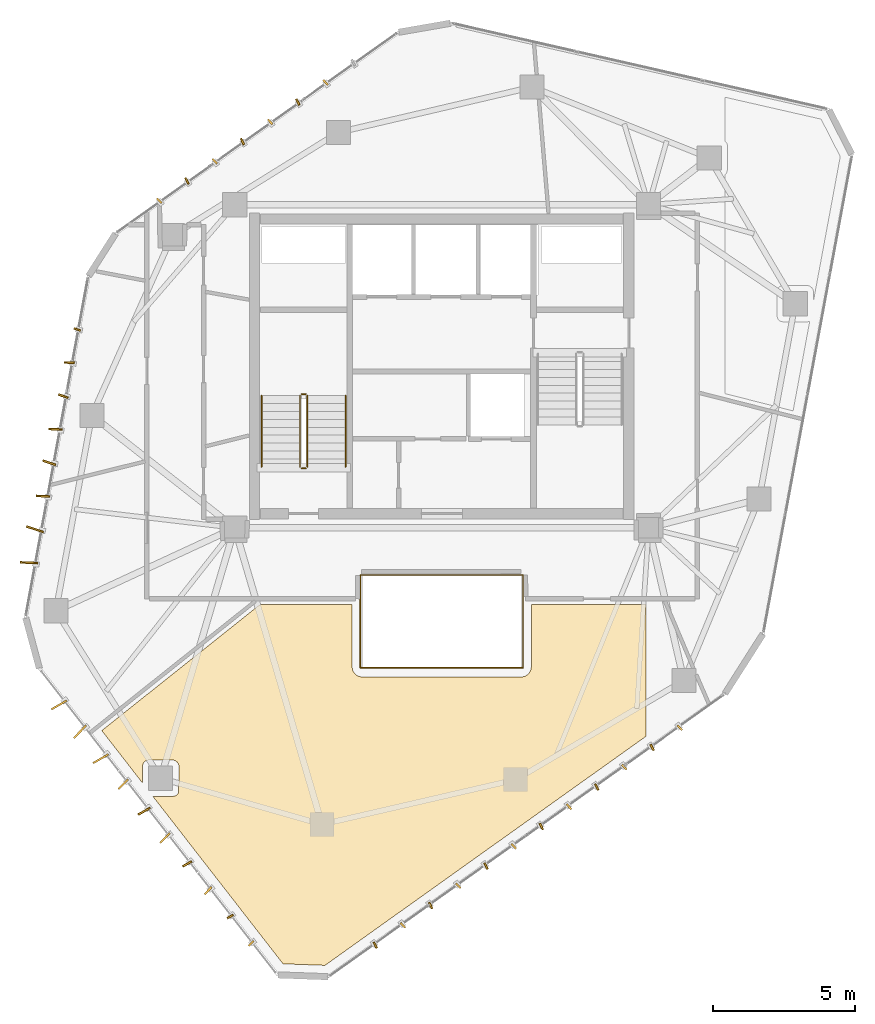
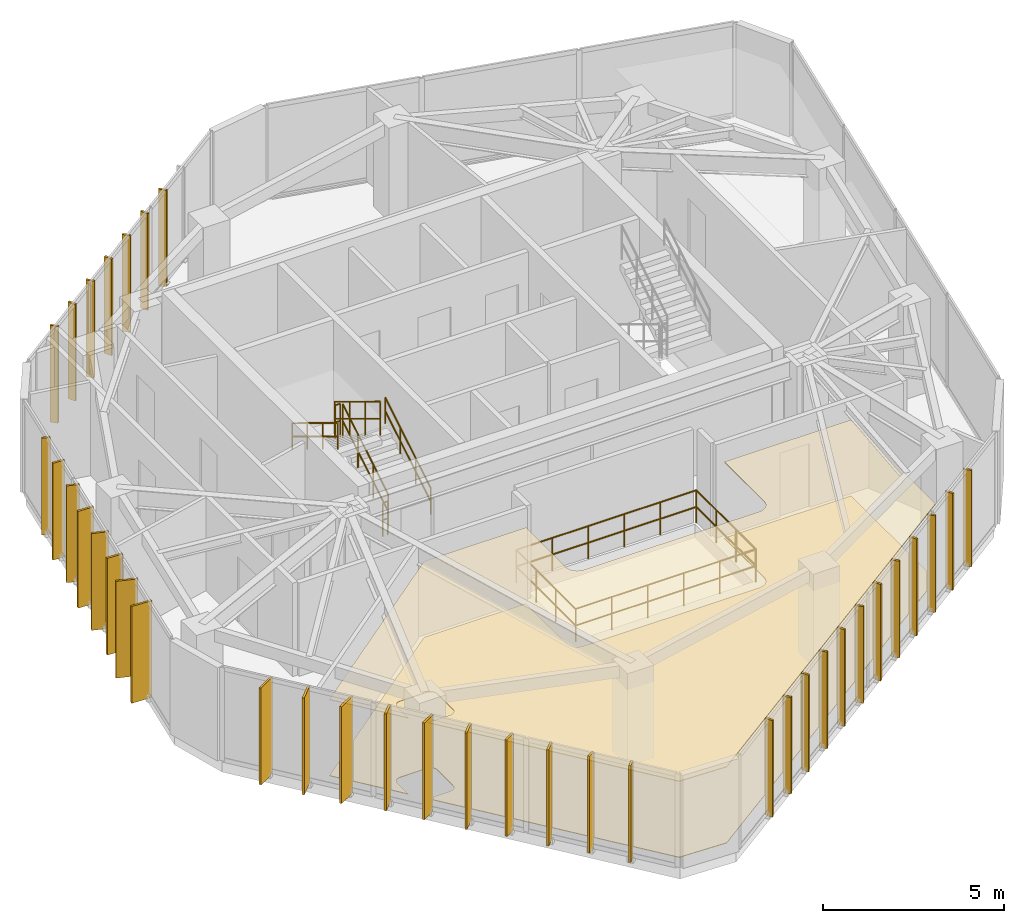
# One storey, part 18 of 19: 37 shading devices, 10 railings, 2 coverings.
"""IFC4 building model written with IfcOpenShell, lengths in metres."""

from ifc_helpers import new_model, si_unit, direction, frame, origin, origin_2d, place, context, subcontext, project, spatial, polyline, rectangle, circle, outline, extrude, source, transform, mapped, material, layer, layer_set, type_object, type_shapes, element, save


model = new_model("IFC4")

# Units and contexts
model_context = context("Model", 3, precision=1e-05, world=origin(), true_north=direction((0.0, 1.0)))
body_context = subcontext(model_context, "Body", "Model", "MODEL_VIEW")
ifc_project = project(units=[si_unit("LENGTHUNIT", "METRE"), si_unit("AREAUNIT", "SQUARE_METRE"), si_unit("VOLUMEUNIT", "CUBIC_METRE"), si_unit("PLANEANGLEUNIT", "RADIAN"), si_unit("MASSUNIT", "GRAM", prefix="KILO")], contexts=[model_context])

# Site, building, storey
site_placement = place(None, origin())
site = spatial("IfcSite", under=ifc_project, at=site_placement, CompositionType="ELEMENT")
building_placement = place(site_placement, origin())
building = spatial("IfcBuilding", under=site, at=building_placement, Name="Talar Marvaseh", CompositionType="ELEMENT")
storey_placement = place(building_placement, frame((0.0, 0.0, 240.800048828125)))
storey = spatial("IfcBuildingStorey", under=building, at=storey_placement, Name="L63", CompositionType="ELEMENT", Elevation=240.800048828125)

# Railings
ifc_material_1 = material(Name="Stainless Steel Grade 316", Category="steel")
railing_type_1 = type_object("IfcRailingType", Name="Brushed Stainless Wall Pitch Handrail 900", PredefinedType="HANDRAIL", material=ifc_material_1)
railing_1_placement = place(storey_placement, frame((22.610107421875, 27.64990234375, 0.169921875)))
element("IfcRailing", 1, at=railing_1_placement, inside=storey, type_object=railing_type_1, Name="L63 ST-1 stair handrail 1", PredefinedType="HANDRAIL", context=body_context, shape_type="SweptSolid", body=[
    extrude(circle(Radius=0.02392578125, at=origin_2d()), frame((0.0, 0.0, 0.8759765625), z_axis=(0.0, 0.85478489116, 0.518982456201), x_axis=(-1.0, 0.0, 0.0)), (0.0, 0.0, 1.0), 2.9482421875),
    extrude(circle(Radius=0.02392578125, at=origin_2d()), frame((0.0, 0.0, 0.42578125), z_axis=(0.0, 0.85478489116, 0.518982456201), x_axis=(-1.0, 0.0, 0.0)), (0.0, 0.0, 1.0), 2.9482421875),
    extrude(circle(Radius=0.02099609375, at=origin_2d()), origin(), (0.0, 0.0, 1.0), 0.851806640625),
    extrude(circle(Radius=0.02099609375, at=origin_2d()), frame((0.0, 0.840087890625, 0.510009765625)), (0.0, 0.0, 1.0), 0.851806640625),
    extrude(circle(Radius=0.02099609375, at=origin_2d()), frame((0.0, 1.679931640625, 1.02001953125)), (0.0, 0.0, 1.0), 0.851806640625),
    extrude(circle(Radius=0.02099609375, at=origin_2d()), frame((0.0, 2.52001953125, 1.530029296875)), (0.0, 0.0, 1.0), 0.851806640625),
])
railing_2_placement = place(storey_placement, frame((19.64990234375, 30.169921875, 1.869873046875)))
element("IfcRailing", 2, at=railing_2_placement, inside=storey, type_object=railing_type_1, Name="L63 ST-1 stair handrail 2", PredefinedType="HANDRAIL", context=body_context, shape_type="SweptSolid", body=[
    extrude(circle(Radius=0.02392578125, at=origin_2d()), frame((0.0, 0.0, 0.8759765625), z_axis=(0.0, -0.85478489116, 0.518982456201), x_axis=(1.0, 0.0, 0.0)), (0.0, 0.0, 1.0), 2.9482421875),
    extrude(circle(Radius=0.02392578125, at=origin_2d()), frame((0.0, 0.0, 0.42578125), z_axis=(0.0, -0.85478489116, 0.518982456201), x_axis=(1.0, 0.0, 0.0)), (0.0, 0.0, 1.0), 2.9482421875),
    extrude(circle(Radius=0.02099609375, at=origin_2d()), origin(), (0.0, 0.0, 1.0), 0.851806640625),
    extrude(circle(Radius=0.02099609375, at=origin_2d()), frame((0.0, -0.840087890625, 0.510009765625)), (0.0, 0.0, 1.0), 0.851806640625),
    extrude(circle(Radius=0.02099609375, at=origin_2d()), frame((0.0, -1.679931640625, 1.02001953125)), (0.0, 0.0, 1.0), 0.851806640625),
    extrude(circle(Radius=0.02099609375, at=origin_2d()), frame((0.0, -2.52001953125, 1.530029296875)), (0.0, 0.0, 1.0), 0.851806640625),
])
ifc_material_2 = material(Name="Tempered Clear Glass", Category="glass")
railing_type_2 = type_object("IfcRailingType", Name="Interior Atrium Edge Balustrade 1120", PredefinedType="BALUSTRADE", material=ifc_material_2)
railing_3_placement = place(storey_placement, frame((23.130615234375, 20.560302734375, 0.0)))
element("IfcRailing", 3, at=railing_3_placement, inside=storey, type_object=railing_type_2, Name="L63 Internal Daylight Atrium Balustrade 1", PredefinedType="BALUSTRADE", context=body_context, shape_type="SweptSolid", body=[
    extrude(circle(Radius=0.02392578125, at=origin_2d()), frame((0.0, 0.0, 1.09619140625), z_axis=(1.0, 0.0, 0.0), x_axis=(0.0, 1.0, 0.0)), (0.0, 0.0, 1.0), 5.73876953125),
    extrude(circle(Radius=0.02392578125, at=origin_2d()), frame((0.0, 0.0, 0.5361328125), z_axis=(1.0, 0.0, 0.0), x_axis=(0.0, 1.0, 0.0)), (0.0, 0.0, 1.0), 5.73876953125),
    extrude(circle(Radius=0.02099609375, at=origin_2d()), origin(), (0.0, 0.0, 1.0), 1.072021484375),
    extrude(circle(Radius=0.02099609375, at=origin_2d()), frame((1.147705078125, 0.0, 0.0)), (0.0, 0.0, 1.0), 1.072021484375),
    extrude(circle(Radius=0.02099609375, at=origin_2d()), frame((2.29541015625, 0.0, 0.0)), (0.0, 0.0, 1.0), 1.072021484375),
    extrude(circle(Radius=0.02099609375, at=origin_2d()), frame((3.443359375, 0.0, 0.0)), (0.0, 0.0, 1.0), 1.072021484375),
    extrude(circle(Radius=0.02099609375, at=origin_2d()), frame((4.591064453125, 0.0, 0.0)), (0.0, 0.0, 1.0), 1.072021484375),
    extrude(circle(Radius=0.02099609375, at=origin_2d()), frame((5.73876953125, 0.0, 0.0)), (0.0, 0.0, 1.0), 1.072021484375),
])
railing_4_placement = place(storey_placement, frame((28.869384765625, 20.560302734375, 0.0)))
element("IfcRailing", 4, at=railing_4_placement, inside=storey, type_object=railing_type_2, Name="L63 Internal Daylight Atrium Balustrade 2", PredefinedType="BALUSTRADE", context=body_context, shape_type="SweptSolid", body=[
    extrude(circle(Radius=0.02392578125, at=origin_2d()), frame((0.0, 0.0, 1.09619140625), z_axis=(0.0, 1.0, 0.0), x_axis=(-1.0, 0.0, 0.0)), (0.0, 0.0, 1.0), 3.279296875),
    extrude(circle(Radius=0.02392578125, at=origin_2d()), frame((0.0, 0.0, 0.5361328125), z_axis=(0.0, 1.0, 0.0), x_axis=(-1.0, 0.0, 0.0)), (0.0, 0.0, 1.0), 3.279296875),
    extrude(circle(Radius=0.02099609375, at=origin_2d()), origin(), (0.0, 0.0, 1.0), 1.072021484375),
    extrude(circle(Radius=0.02099609375, at=origin_2d()), frame((0.0, 1.093017578125, 0.0)), (0.0, 0.0, 1.0), 1.072021484375),
    extrude(circle(Radius=0.02099609375, at=origin_2d()), frame((0.0, 2.186279296875, 0.0)), (0.0, 0.0, 1.0), 1.072021484375),
    extrude(circle(Radius=0.02099609375, at=origin_2d()), frame((0.0, 3.279296875, 0.0)), (0.0, 0.0, 1.0), 1.072021484375),
])
railing_5_placement = place(storey_placement, frame((28.869384765625, 23.839599609375, 0.0)))
element("IfcRailing", 5, at=railing_5_placement, inside=storey, type_object=railing_type_2, Name="L63 Internal Daylight Atrium Balustrade 3", PredefinedType="BALUSTRADE", context=body_context, shape_type="SweptSolid", body=[
    extrude(circle(Radius=0.02392578125, at=origin_2d()), frame((0.0, 0.0, 1.09619140625), z_axis=(-1.0, 0.0, 0.0), x_axis=(0.0, -1.0, 0.0)), (0.0, 0.0, 1.0), 5.73876953125),
    extrude(circle(Radius=0.02392578125, at=origin_2d()), frame((0.0, 0.0, 0.5361328125), z_axis=(-1.0, 0.0, 0.0), x_axis=(0.0, -1.0, 0.0)), (0.0, 0.0, 1.0), 5.73876953125),
    extrude(circle(Radius=0.02099609375, at=origin_2d()), origin(), (0.0, 0.0, 1.0), 1.072021484375),
    extrude(circle(Radius=0.02099609375, at=origin_2d()), frame((-1.147705078125, 0.0, 0.0)), (0.0, 0.0, 1.0), 1.072021484375),
    extrude(circle(Radius=0.02099609375, at=origin_2d()), frame((-2.29541015625, 0.0, 0.0)), (0.0, 0.0, 1.0), 1.072021484375),
    extrude(circle(Radius=0.02099609375, at=origin_2d()), frame((-3.443359375, 0.0, 0.0)), (0.0, 0.0, 1.0), 1.072021484375),
    extrude(circle(Radius=0.02099609375, at=origin_2d()), frame((-4.591064453125, 0.0, 0.0)), (0.0, 0.0, 1.0), 1.072021484375),
    extrude(circle(Radius=0.02099609375, at=origin_2d()), frame((-5.73876953125, 0.0, 0.0)), (0.0, 0.0, 1.0), 1.072021484375),
])
railing_6_placement = place(storey_placement, frame((23.130615234375, 23.839599609375, 0.0)))
element("IfcRailing", 6, at=railing_6_placement, inside=storey, type_object=railing_type_2, Name="L63 Internal Daylight Atrium Balustrade 4", PredefinedType="BALUSTRADE", context=body_context, shape_type="SweptSolid", body=[
    extrude(circle(Radius=0.02392578125, at=origin_2d()), frame((0.0, 0.0, 1.09619140625), z_axis=(0.0, -1.0, 0.0), x_axis=(1.0, 0.0, 0.0)), (0.0, 0.0, 1.0), 3.279296875),
    extrude(circle(Radius=0.02392578125, at=origin_2d()), frame((0.0, 0.0, 0.5361328125), z_axis=(0.0, -1.0, 0.0), x_axis=(1.0, 0.0, 0.0)), (0.0, 0.0, 1.0), 3.279296875),
    extrude(circle(Radius=0.02099609375, at=origin_2d()), origin(), (0.0, 0.0, 1.0), 1.072021484375),
    extrude(circle(Radius=0.02099609375, at=origin_2d()), frame((0.0, -1.093017578125, 0.0)), (0.0, 0.0, 1.0), 1.072021484375),
    extrude(circle(Radius=0.02099609375, at=origin_2d()), frame((0.0, -2.186279296875, 0.0)), (0.0, 0.0, 1.0), 1.072021484375),
    extrude(circle(Radius=0.02099609375, at=origin_2d()), frame((0.0, -3.279296875, 0.0)), (0.0, 0.0, 1.0), 1.072021484375),
])
railing_type_3 = type_object("IfcRailingType", Name="Painted Steel Core Stair Well Guardrail 1150", PredefinedType="GUARDRAIL", material=ifc_material_1)
railing_7_placement = place(storey_placement, frame((21.260009765625, 27.64990234375, 0.169921875)))
element("IfcRailing", 7, at=railing_7_placement, inside=storey, type_object=railing_type_3, Name="L63 ST-1 stair guard 1", PredefinedType="GUARDRAIL", context=body_context, shape_type="SweptSolid", body=[
    extrude(circle(Radius=0.02392578125, at=origin_2d()), frame((0.0, 0.0, 1.1259765625), z_axis=(0.0, 0.85478489116, 0.518982456201), x_axis=(-1.0, 0.0, 0.0)), (0.0, 0.0, 1.0), 2.9482421875),
    extrude(circle(Radius=0.02392578125, at=origin_2d()), frame((0.0, 0.0, 0.55078125), z_axis=(0.0, 0.85478489116, 0.518982456201), x_axis=(-1.0, 0.0, 0.0)), (0.0, 0.0, 1.0), 2.9482421875),
    extrude(circle(Radius=0.02099609375, at=origin_2d()), origin(), (0.0, 0.0, 1.0), 1.101806640625),
    extrude(circle(Radius=0.02099609375, at=origin_2d()), frame((0.0, 0.840087890625, 0.510009765625)), (0.0, 0.0, 1.0), 1.101806640625),
    extrude(circle(Radius=0.02099609375, at=origin_2d()), frame((0.0, 1.679931640625, 1.02001953125)), (0.0, 0.0, 1.0), 1.101806640625),
    extrude(circle(Radius=0.02099609375, at=origin_2d()), frame((0.0, 2.52001953125, 1.530029296875)), (0.0, 0.0, 1.0), 1.101806640625),
])
railing_8_placement = place(storey_placement, frame((21.2099609375, 30.219970703125, 1.699951171875)))
element("IfcRailing", 8, at=railing_8_placement, inside=storey, type_object=railing_type_3, Name="L63 ST-1 stair guard 2", PredefinedType="GUARDRAIL", context=body_context, shape_type="SweptSolid", body=[
    extrude(circle(Radius=0.02392578125, at=origin_2d()), frame((0.0, 0.0, 1.1259765625), z_axis=(-1.0, 0.0, 0.0), x_axis=(0.0, -1.0, 0.0)), (0.0, 0.0, 1.0), 0.159912109375),
    extrude(circle(Radius=0.02392578125, at=origin_2d()), frame((0.0, 0.0, 0.55078125), z_axis=(-1.0, 0.0, 0.0), x_axis=(0.0, -1.0, 0.0)), (0.0, 0.0, 1.0), 0.159912109375),
    extrude(circle(Radius=0.02099609375, at=origin_2d()), origin(), (0.0, 0.0, 1.0), 1.101806640625),
    extrude(circle(Radius=0.02099609375, at=origin_2d()), frame((-0.159912109375, 0.0, 0.0)), (0.0, 0.0, 1.0), 1.101806640625),
])
railing_9_placement = place(storey_placement, frame((21.0, 30.169921875, 1.869873046875)))
element("IfcRailing", 9, at=railing_9_placement, inside=storey, type_object=railing_type_3, Name="L63 ST-1 stair guard 3", PredefinedType="GUARDRAIL", context=body_context, shape_type="SweptSolid", body=[
    extrude(circle(Radius=0.02392578125, at=origin_2d()), frame((0.0, 0.0, 1.1259765625), z_axis=(0.0, -0.85478489116, 0.518982456201), x_axis=(1.0, 0.0, 0.0)), (0.0, 0.0, 1.0), 2.9482421875),
    extrude(circle(Radius=0.02392578125, at=origin_2d()), frame((0.0, 0.0, 0.55078125), z_axis=(0.0, -0.85478489116, 0.518982456201), x_axis=(1.0, 0.0, 0.0)), (0.0, 0.0, 1.0), 2.9482421875),
    extrude(circle(Radius=0.02099609375, at=origin_2d()), origin(), (0.0, 0.0, 1.0), 1.101806640625),
    extrude(circle(Radius=0.02099609375, at=origin_2d()), frame((0.0, -0.840087890625, 0.510009765625)), (0.0, 0.0, 1.0), 1.101806640625),
    extrude(circle(Radius=0.02099609375, at=origin_2d()), frame((0.0, -1.679931640625, 1.02001953125)), (0.0, 0.0, 1.0), 1.101806640625),
    extrude(circle(Radius=0.02099609375, at=origin_2d()), frame((0.0, -2.52001953125, 1.530029296875)), (0.0, 0.0, 1.0), 1.101806640625),
])
railing_10_placement = place(storey_placement, frame((21.2099609375, 27.60009765625, 0.0)))
element("IfcRailing", 10, at=railing_10_placement, inside=storey, type_object=railing_type_3, Name="L63 ST-1 stair guard 4", PredefinedType="GUARDRAIL", context=body_context, shape_type="SweptSolid", body=[
    extrude(circle(Radius=0.02392578125, at=origin_2d()), frame((0.0, 0.0, 1.1259765625), z_axis=(-1.0, 0.0, 0.0), x_axis=(0.0, -1.0, 0.0)), (0.0, 0.0, 1.0), 0.159912109375),
    extrude(circle(Radius=0.02392578125, at=origin_2d()), frame((0.0, 0.0, 0.55078125), z_axis=(-1.0, 0.0, 0.0), x_axis=(0.0, -1.0, 0.0)), (0.0, 0.0, 1.0), 0.159912109375),
    extrude(circle(Radius=0.02099609375, at=origin_2d()), origin(), (0.0, 0.0, 1.0), 1.101806640625),
    extrude(circle(Radius=0.02099609375, at=origin_2d()), frame((-0.159912109375, 0.0, 0.0)), (0.0, 0.0, 1.0), 1.101806640625),
])

# Coverings
ifc_material_3 = material(Name="Mineral Fibre Acoustic Ceiling")
ifc_layer_1 = layer(ifc_material_3, 0.02490234375)
ifc_layer_set_1 = layer_set([ifc_layer_1], Name="Mineral Fibre Acoustic Ceiling")
covering_type_1 = type_object("IfcCoveringType", Name="Perforated Mineral Fibre Acoustic Suspended Ceiling", PredefinedType="CEILING", material=ifc_layer_set_1)
covering_1_placement = place(storey_placement, frame((0.0, 0.0, 2.56005859375)))
element("IfcCovering", 11, at=covering_1_placement, inside=storey, type_object=covering_type_1, Name="L63 Hospitality Tea Pantry Acoustic Ceiling", PredefinedType="CEILING", context=body_context, shape_type="SweptSolid", body=[
    extrude(outline(polyline([(22.840087890625, 22.800048828125), (22.840087890625, 20.60009765625), (22.841064453125, 20.580322265625), (22.843994140625, 20.560791015625), (22.856201171875, 20.499755859375), (22.861572265625, 20.478515625), (22.869384765625, 20.457763671875), (22.87939453125, 20.43798828125), (22.8916015625, 20.419677734375), (22.937744140625, 20.357177734375), (22.9501953125, 20.342041015625), (22.964111328125, 20.328125), (22.9794921875, 20.315673828125), (22.995849609375, 20.3046875), (23.0361328125, 20.280517578125), (23.056396484375, 20.27001953125), (23.07763671875, 20.26171875), (23.099609375, 20.256103515625), (23.160888671875, 20.243896484375), (23.180419921875, 20.240966796875), (23.199951171875, 20.239990234375), (28.800048828125, 20.239990234375), (28.819580078125, 20.240966796875), (28.839111328125, 20.243896484375), (28.900390625, 20.256103515625), (28.919189453125, 20.2607421875), (28.937744140625, 20.267578125), (28.95556640625, 20.27587890625), (28.972412109375, 20.285888671875), (29.0244140625, 20.320556640625), (29.0400390625, 20.332275390625), (29.054443359375, 20.345458984375), (29.067626953125, 20.360107421875), (29.079345703125, 20.375732421875), (29.114013671875, 20.427490234375), (29.124267578125, 20.444580078125), (29.132568359375, 20.462158203125), (29.13916015625, 20.480712890625), (29.143798828125, 20.499755859375), (29.156005859375, 20.560791015625), (29.158935546875, 20.580322265625), (29.159912109375, 20.60009765625), (29.159912109375, 22.800048828125), (33.199951171875, 22.800048828125), (33.199951171875, 18.141845703125), (21.8837890625, 10.0673828125), (20.401123046875, 10.12109375), (15.808349609375, 16.032470703125), (16.522705078125, 16.032470703125), (16.5419921875, 16.033447265625), (16.5615234375, 16.0361328125), (16.58056640625, 16.041015625), (16.598876953125, 16.047607421875), (16.61669921875, 16.055908203125), (16.63330078125, 16.06591796875), (16.649169921875, 16.077392578125), (16.663818359375, 16.090576171875), (16.6767578125, 16.10498046875), (16.6884765625, 16.120849609375), (16.69873046875, 16.137451171875), (16.70703125, 16.1552734375), (16.7138671875, 16.173583984375), (16.718505859375, 16.1923828125), (16.721435546875, 16.2119140625), (16.72265625, 16.2314453125), (16.726806640625, 17.093505859375), (16.72607421875, 17.112060546875), (16.7236328125, 17.130615234375), (16.719482421875, 17.148681640625), (16.71337890625, 17.16650390625), (16.7060546875, 17.18359375), (16.697021484375, 17.199951171875), (16.686279296875, 17.215087890625), (16.67431640625, 17.2294921875), (16.6611328125, 17.24267578125), (16.646240234375, 17.256103515625), (16.632080078125, 17.26806640625), (16.61669921875, 17.2783203125), (16.6005859375, 17.287353515625), (16.58349609375, 17.294921875), (16.56591796875, 17.300537109375), (16.5478515625, 17.3046875), (16.529541015625, 17.30712890625), (16.510986328125, 17.30810546875), (15.650390625, 17.3037109375), (15.630859375, 17.302490234375), (15.611572265625, 17.299560546875), (15.592529296875, 17.294677734375), (15.57421875, 17.2880859375), (15.556396484375, 17.27978515625), (15.539794921875, 17.26953125), (15.524169921875, 17.2578125), (15.509521484375, 17.24462890625), (15.49658203125, 17.22998046875), (15.48486328125, 17.21435546875), (15.474853515625, 17.197509765625), (15.466552734375, 17.179931640625), (15.4599609375, 17.16162109375), (15.455078125, 17.142578125), (15.452392578125, 17.123046875), (15.451416015625, 17.103515625), (15.451416015625, 16.49169921875), (14.0078125, 18.349853515625), (19.59619140625, 22.800048828125), (22.840087890625, 22.800048828125)])), origin(), (0.0, 0.0, 1.0), 0.02490234375),
])
ifc_material_4 = material(Name="Porcelain Stoneware Tile", Category="masonry")
ifc_layer_2 = layer(ifc_material_4, 0.02001953125)
ifc_layer_set_2 = layer_set([ifc_layer_2], Name="Porcelain Stoneware Tile")
covering_type_2 = type_object("IfcCoveringType", Name="Polished Porcelain Stoneware Gallery Flooring", PredefinedType="FLOORING", material=ifc_layer_set_2)
covering_2_placement = place(storey_placement, origin())
element("IfcCovering", 12, at=covering_2_placement, inside=storey, type_object=covering_type_2, Name="L63 Hospitality Tea Pantry Flooring", PredefinedType="FLOORING", context=body_context, shape_type="SweptSolid", body=[
    extrude(outline(polyline([(22.840087890625, 22.800048828125), (22.840087890625, 20.60009765625), (22.841064453125, 20.580322265625), (22.843994140625, 20.560791015625), (22.856201171875, 20.499755859375), (22.861572265625, 20.478515625), (22.869384765625, 20.457763671875), (22.87939453125, 20.43798828125), (22.8916015625, 20.419677734375), (22.937744140625, 20.357177734375), (22.9501953125, 20.342041015625), (22.964111328125, 20.328125), (22.9794921875, 20.315673828125), (22.995849609375, 20.3046875), (23.0361328125, 20.280517578125), (23.056396484375, 20.27001953125), (23.07763671875, 20.26171875), (23.099609375, 20.256103515625), (23.160888671875, 20.243896484375), (23.180419921875, 20.240966796875), (23.199951171875, 20.239990234375), (28.800048828125, 20.239990234375), (28.819580078125, 20.240966796875), (28.839111328125, 20.243896484375), (28.900390625, 20.256103515625), (28.919189453125, 20.2607421875), (28.937744140625, 20.267578125), (28.95556640625, 20.27587890625), (28.972412109375, 20.285888671875), (29.0244140625, 20.320556640625), (29.0400390625, 20.332275390625), (29.054443359375, 20.345458984375), (29.067626953125, 20.360107421875), (29.079345703125, 20.375732421875), (29.114013671875, 20.427490234375), (29.124267578125, 20.444580078125), (29.132568359375, 20.462158203125), (29.13916015625, 20.480712890625), (29.143798828125, 20.499755859375), (29.156005859375, 20.560791015625), (29.158935546875, 20.580322265625), (29.159912109375, 20.60009765625), (29.159912109375, 22.800048828125), (33.199951171875, 22.800048828125), (33.199951171875, 18.141845703125), (21.8837890625, 10.0673828125), (20.401123046875, 10.12109375), (15.808349609375, 16.032470703125), (16.522705078125, 16.032470703125), (16.5419921875, 16.033447265625), (16.5615234375, 16.0361328125), (16.58056640625, 16.041015625), (16.598876953125, 16.047607421875), (16.61669921875, 16.055908203125), (16.63330078125, 16.06591796875), (16.649169921875, 16.077392578125), (16.663818359375, 16.090576171875), (16.6767578125, 16.10498046875), (16.6884765625, 16.120849609375), (16.69873046875, 16.137451171875), (16.70703125, 16.1552734375), (16.7138671875, 16.173583984375), (16.718505859375, 16.1923828125), (16.721435546875, 16.2119140625), (16.72265625, 16.2314453125), (16.726806640625, 17.093505859375), (16.72607421875, 17.112060546875), (16.7236328125, 17.130615234375), (16.719482421875, 17.148681640625), (16.71337890625, 17.16650390625), (16.7060546875, 17.18359375), (16.697021484375, 17.199951171875), (16.686279296875, 17.215087890625), (16.67431640625, 17.2294921875), (16.6611328125, 17.24267578125), (16.646240234375, 17.256103515625), (16.632080078125, 17.26806640625), (16.61669921875, 17.2783203125), (16.6005859375, 17.287353515625), (16.58349609375, 17.294921875), (16.56591796875, 17.300537109375), (16.5478515625, 17.3046875), (16.529541015625, 17.30712890625), (16.510986328125, 17.30810546875), (15.650390625, 17.3037109375), (15.630859375, 17.302490234375), (15.611572265625, 17.299560546875), (15.592529296875, 17.294677734375), (15.57421875, 17.2880859375), (15.556396484375, 17.27978515625), (15.539794921875, 17.26953125), (15.524169921875, 17.2578125), (15.509521484375, 17.24462890625), (15.49658203125, 17.22998046875), (15.48486328125, 17.21435546875), (15.474853515625, 17.197509765625), (15.466552734375, 17.179931640625), (15.4599609375, 17.16162109375), (15.455078125, 17.142578125), (15.452392578125, 17.123046875), (15.451416015625, 17.103515625), (15.451416015625, 16.49169921875), (14.0078125, 18.349853515625), (19.59619140625, 22.800048828125), (22.840087890625, 22.800048828125)])), origin(), (0.0, 0.0, 1.0), 0.02001953125),
])

# Shading devices
ifc_material_5 = material(Name="Anodised Champagne Bronze Aluminium", Category="aluminium")
ifc_layer_3 = layer(ifc_material_5, 0.06494140625)
ifc_layer_set_3 = layer_set([ifc_layer_3], Name="Anodised Champagne Bronze Aluminium")
shading_device_type_1 = type_object("IfcShadingDeviceType", Name="Sawtooth Champagne Bronze Vertical Fin 240", PredefinedType="USERDEFINED", material=ifc_layer_set_3)
shared_shape_1 = source(origin(), body_context, "Body", "SweptSolid", [
    extrude(rectangle(XDim=0.239990234375, YDim=0.06494140625, at=origin_2d()), origin(), (0.0, 0.0, 1.0), 3.260009765625),
])
type_shapes(shading_device_type_1, [shared_shape_1])
for number, where, z_axis, x_axis, name in (
    (13, (19.277587890625, 10.841796875, -0.1201171875), (0.0, 0.0, 1.0), (-0.696539214946, -0.717518725918, 0.0), "L63 Sawtooth Vertical Solar Fin"),
    (14, (18.54150390625, 11.789306640625, -0.1201171875), (0.0, 0.0, 1.0), (-0.867331431408, -0.497731039913, 0.0), "L63 Sawtooth Vertical Solar Fin"),
    (15, (13.142578125, 32.497802734375, -0.1201171875), (0.0, 0.0, 1.0), (-0.948710608133, 0.316145823974, 0.0), "L63 Sawtooth Vertical Solar Fin"),
    (16, (16.036865234375, 37.040771484375, -0.1201171875), (0.0, 0.0, 1.0), (-0.687467850211, 0.726214813211, 0.0), "L63 Sawtooth Vertical Solar Fin"),
    (17, (17.014404296875, 37.736328125, -0.1201171875), (0.0, 0.0, 1.0), (-0.460664580728, 0.887574303404, 0.0), "L63 Sawtooth Vertical Solar Fin"),
    (18, (17.9921875, 38.43212890625, -0.1201171875), (0.0, 0.0, 1.0), (-0.687467850211, 0.726214813211, 0.0), "L63 Sawtooth Vertical Solar Fin"),
    (19, (18.969970703125, 39.127685546875, -0.1201171875), (0.0, 0.0, 1.0), (-0.460664580728, 0.887574303404, 0.0), "L63 Sawtooth Vertical Solar Fin"),
    (20, (19.94775390625, 39.823486328125, -0.1201171875), (0.0, 0.0, 1.0), (-0.687467850211, 0.726214813211, 0.0), "L63 Sawtooth Vertical Solar Fin"),
    (21, (20.925537109375, 40.51904296875, -0.1201171875), (0.0, 0.0, 1.0), (-0.460664580728, 0.887574303404, 0.0), "L63 Sawtooth Vertical Solar Fin"),
    (22, (21.9033203125, 41.21484375, -0.1201171875), (0.0, 0.0, 1.0), (-0.687467850211, 0.726214813211, 0.0), "L63 Sawtooth Vertical Solar Fin"),
    (23, (34.398681640625, 18.45068359375, -0.1201171875), (0.0, 0.0, 1.0), (0.68848116692, -0.725254219427, 0.0), "L63 Sawtooth Vertical Solar Fin"),
    (24, (33.422119140625, 17.753662109375, -0.1201171875), (0.0, 0.0, 1.0), (0.461903418797, -0.886930229333, 0.0), "L63 Sawtooth Vertical Solar Fin"),
    (25, (32.445068359375, 17.056640625, -0.1201171875), (0.0, 0.0, 1.0), (0.68848116692, -0.725254219427, 0.0), "L63 Sawtooth Vertical Solar Fin"),
    (26, (31.46826171875, 16.359619140625, -0.1201171875), (0.0, 0.0, 1.0), (0.461903418797, -0.886930229333, 0.0), "L63 Sawtooth Vertical Solar Fin"),
    (27, (30.491455078125, 15.66259765625, -0.1201171875), (0.0, 0.0, 1.0), (0.68848116692, -0.725254219427, 0.0), "L63 Sawtooth Vertical Solar Fin"),
    (28, (29.5146484375, 14.965576171875, -0.1201171875), (0.0, 0.0, 1.0), (0.461903418797, -0.886930229333, 0.0), "L63 Sawtooth Vertical Solar Fin"),
    (29, (28.537841796875, 14.2685546875, -0.1201171875), (0.0, 0.0, 1.0), (0.68848116692, -0.725254219427, 0.0), "L63 Sawtooth Vertical Solar Fin"),
    (30, (27.56103515625, 13.571533203125, -0.1201171875), (0.0, 0.0, 1.0), (0.461903418797, -0.886930229333, 0.0), "L63 Sawtooth Vertical Solar Fin"),
    (31, (26.584228515625, 12.87451171875, -0.1201171875), (0.0, 0.0, 1.0), (0.68848116692, -0.725254219427, 0.0), "L63 Sawtooth Vertical Solar Fin"),
    (32, (25.607421875, 12.177490234375, -0.1201171875), (0.0, 0.0, 1.0), (0.461903418797, -0.886930229333, 0.0), "L63 Sawtooth Vertical Solar Fin"),
    (33, (24.630615234375, 11.480712890625, -0.1201171875), (0.0, 0.0, 1.0), (0.68848116692, -0.725254219427, 0.0), "L63 Sawtooth Vertical Solar Fin"),
    (34, (23.65380859375, 10.78369140625, -0.1201171875), (0.0, 0.0, 1.0), (0.461903418797, -0.886930229333, 0.0), "L63 Sawtooth Vertical Solar Fin"),
):
    element("IfcShadingDevice", number, at=place(storey_placement, frame(where, z_axis=z_axis, x_axis=x_axis)), inside=storey, type_object=shading_device_type_1, Name=name, ObjectType="FIN", PredefinedType="USERDEFINED", context=body_context, shape_type="MappedRepresentation", body=[
        mapped(shared_shape_1, transform((0.0, 0.0, 0.0), x_axis=(1.0, 0.0, 0.0), y_axis=(0.0, 1.0, 0.0), z_axis=(0.0, 0.0, 1.0), scale=1.0)),
    ])
ifc_layer_4 = layer(ifc_material_5, 0.06494140625)
ifc_layer_set_4 = layer_set([ifc_layer_4], Name="Anodised Champagne Bronze Aluminium")
shading_device_type_2 = type_object("IfcShadingDeviceType", Name="Sawtooth Champagne Bronze Vertical Fin 360", PredefinedType="USERDEFINED", material=ifc_layer_set_4)
shared_shape_2 = source(origin(), body_context, "Body", "SweptSolid", [
    extrude(rectangle(XDim=0.360107421875, YDim=0.06494140625, at=origin_2d()), origin(), (0.0, 0.0, 1.0), 3.260009765625),
])
type_shapes(shading_device_type_2, [shared_shape_2])
for number, where, z_axis, x_axis, name in (
    (35, (17.7578125, 12.7001953125, -0.1201171875), (0.0, 0.0, 1.0), (-0.696539214946, -0.717518725918, 0.0), "L63 Sawtooth Vertical Solar Fin"),
    (36, (17.021484375, 13.647705078125, -0.1201171875), (0.0, 0.0, 1.0), (-0.867331431408, -0.497731039913, 0.0), "L63 Sawtooth Vertical Solar Fin"),
    (37, (12.64892578125, 30.148193359375, -0.1201171875), (0.0, 0.0, 1.0), (-0.948710608133, 0.316145823974, 0.0), "L63 Sawtooth Vertical Solar Fin"),
    (38, (12.8662109375, 31.328369140625, -0.1201171875), (0.0, 0.0, 1.0), (-0.999100767101, 0.042398787456, 0.0), "L63 Sawtooth Vertical Solar Fin"),
):
    element("IfcShadingDevice", number, at=place(storey_placement, frame(where, z_axis=z_axis, x_axis=x_axis)), inside=storey, type_object=shading_device_type_2, Name=name, ObjectType="FIN", PredefinedType="USERDEFINED", context=body_context, shape_type="MappedRepresentation", body=[
        mapped(shared_shape_2, transform((0.0, 0.0, 0.0), x_axis=(1.0, 0.0, 0.0), y_axis=(0.0, 1.0, 0.0), z_axis=(0.0, 0.0, 1.0), scale=1.0)),
    ])
ifc_layer_5 = layer(ifc_material_5, 0.06494140625)
ifc_layer_set_5 = layer_set([ifc_layer_5], Name="Anodised Champagne Bronze Aluminium")
shading_device_type_3 = type_object("IfcShadingDeviceType", Name="Sawtooth Champagne Bronze Vertical Fin 480", PredefinedType="USERDEFINED", material=ifc_layer_set_5)
shared_shape_3 = source(origin(), body_context, "Body", "SweptSolid", [
    extrude(rectangle(XDim=0.47998046875, YDim=0.06494140625, at=origin_2d()), origin(), (0.0, 0.0, 1.0), 3.260009765625),
])
type_shapes(shading_device_type_3, [shared_shape_3])
for number, where, z_axis, x_axis, name in (
    (39, (16.23779296875, 14.55859375, -0.1201171875), (0.0, 0.0, 1.0), (-0.696539214946, -0.717518725918, 0.0), "L63 Sawtooth Vertical Solar Fin"),
    (40, (15.501708984375, 15.506103515625, -0.1201171875), (0.0, 0.0, 1.0), (-0.867331431408, -0.497731039913, 0.0), "L63 Sawtooth Vertical Solar Fin"),
    (41, (14.765380859375, 16.45361328125, -0.1201171875), (0.0, 0.0, 1.0), (-0.696539214946, -0.717518725918, 0.0), "L63 Sawtooth Vertical Solar Fin"),
    (42, (11.93798828125, 26.61865234375, -0.1201171875), (0.0, 0.0, 1.0), (-0.999100767101, 0.042398787456, 0.0), "L63 Sawtooth Vertical Solar Fin"),
    (43, (12.155517578125, 27.798828125, -0.1201171875), (0.0, 0.0, 1.0), (-0.948710608133, 0.316145823974, 0.0), "L63 Sawtooth Vertical Solar Fin"),
    (44, (12.372802734375, 28.97900390625, -0.1201171875), (0.0, 0.0, 1.0), (-0.999100767101, 0.042398787456, 0.0), "L63 Sawtooth Vertical Solar Fin"),
):
    element("IfcShadingDevice", number, at=place(storey_placement, frame(where, z_axis=z_axis, x_axis=x_axis)), inside=storey, type_object=shading_device_type_3, Name=name, ObjectType="FIN", PredefinedType="USERDEFINED", context=body_context, shape_type="MappedRepresentation", body=[
        mapped(shared_shape_3, transform((0.0, 0.0, 0.0), x_axis=(1.0, 0.0, 0.0), y_axis=(0.0, 1.0, 0.0), z_axis=(0.0, 0.0, 1.0), scale=1.0)),
    ])
ifc_layer_6 = layer(ifc_material_5, 0.06494140625)
ifc_layer_set_6 = layer_set([ifc_layer_6], Name="Anodised Champagne Bronze Aluminium")
shading_device_type_4 = type_object("IfcShadingDeviceType", Name="Sawtooth Champagne Bronze Vertical Fin 620", PredefinedType="USERDEFINED", material=ifc_layer_set_6)
shared_shape_4 = source(origin(), body_context, "Body", "SweptSolid", [
    extrude(rectangle(XDim=0.6201171875, YDim=0.06494140625, at=origin_2d()), origin(), (0.0, 0.0, 1.0), 3.260009765625),
])
type_shapes(shading_device_type_4, [shared_shape_4])
for number, where, z_axis, x_axis, name in (
    (45, (13.973876953125, 17.3583984375, -0.1201171875), (0.0, 0.0, 1.0), (-0.867331431408, -0.497731039913, 0.0), "L63 Sawtooth Vertical Solar Fin"),
    (46, (13.237548828125, 18.305908203125, -0.1201171875), (0.0, 0.0, 1.0), (-0.696539214946, -0.717518725918, 0.0), "L63 Sawtooth Vertical Solar Fin"),
    (47, (12.50146484375, 19.253662109375, -0.1201171875), (0.0, 0.0, 1.0), (-0.867331431408, -0.497731039913, 0.0), "L63 Sawtooth Vertical Solar Fin"),
    (48, (11.434814453125, 24.27099609375, -0.1201171875), (0.0, 0.0, 1.0), (-0.999100767101, 0.042398787456, 0.0), "L63 Sawtooth Vertical Solar Fin"),
    (49, (11.652099609375, 25.451171875, -0.1201171875), (0.0, 0.0, 1.0), (-0.948710608133, 0.316145823974, 0.0), "L63 Sawtooth Vertical Solar Fin"),
):
    element("IfcShadingDevice", number, at=place(storey_placement, frame(where, z_axis=z_axis, x_axis=x_axis)), inside=storey, type_object=shading_device_type_4, Name=name, ObjectType="FIN", PredefinedType="USERDEFINED", context=body_context, shape_type="MappedRepresentation", body=[
        mapped(shared_shape_4, transform((0.0, 0.0, 0.0), x_axis=(1.0, 0.0, 0.0), y_axis=(0.0, 1.0, 0.0), z_axis=(0.0, 0.0, 1.0), scale=1.0)),
    ])

save(model, "model.ifc")
